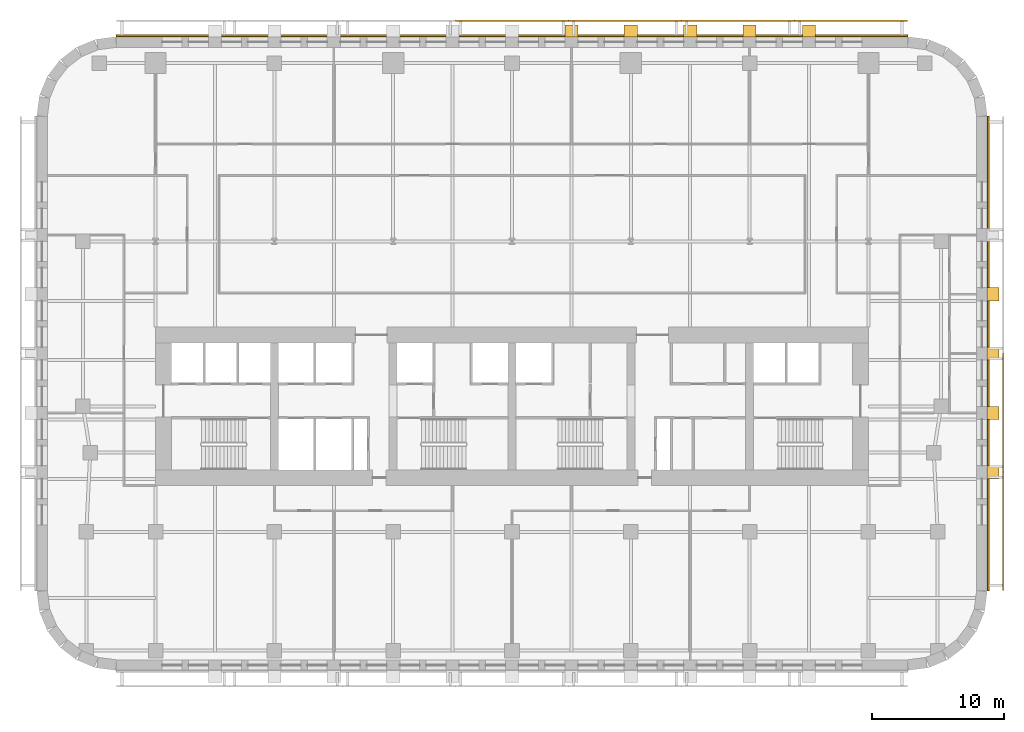
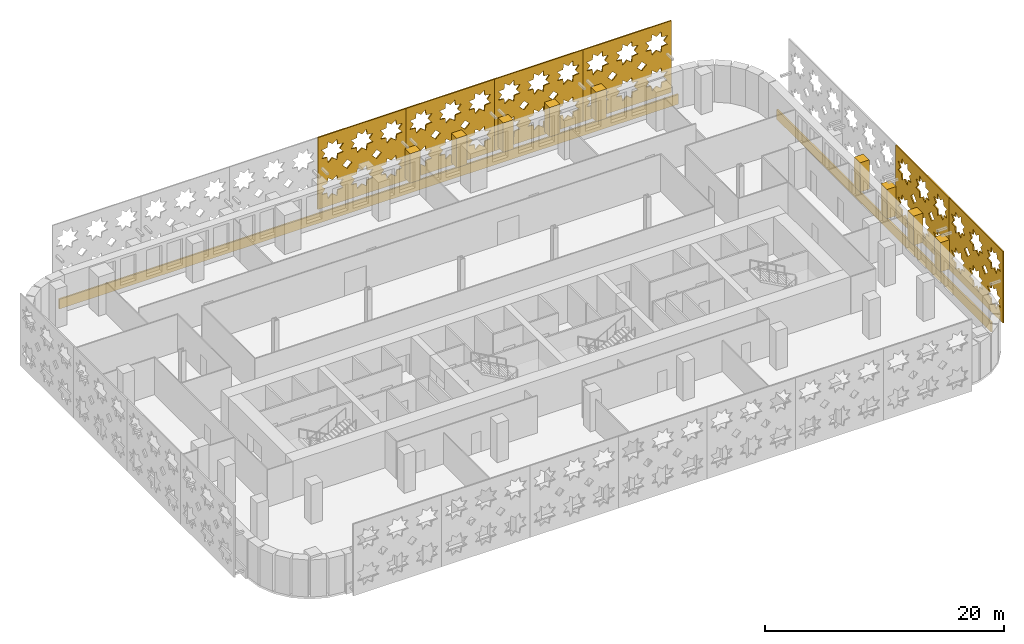
# One storey, part 14 of 15: 17 coverings.
"""IFC4 building model written with IfcOpenShell, lengths in metres."""

from ifc_helpers import new_model, si_unit, direction, frame, origin, place, context, subcontext, project, spatial, polyline, outline, extrude, material, layer, layer_set, type_object, element, save


model = new_model("IFC4")

# Units and contexts
model_context = context("Model", 3, precision=1e-05, world=origin(), true_north=direction((0.0, 1.0)))
body_context = subcontext(model_context, "Body", "Model", "MODEL_VIEW")
ifc_project = project(units=[si_unit("LENGTHUNIT", "METRE"), si_unit("AREAUNIT", "SQUARE_METRE"), si_unit("VOLUMEUNIT", "CUBIC_METRE"), si_unit("PLANEANGLEUNIT", "RADIAN"), si_unit("MASSUNIT", "GRAM", prefix="KILO")], contexts=[model_context])

# Site, building, storey
site_placement = place(None, origin())
site = spatial("IfcSite", under=ifc_project, at=site_placement, CompositionType="ELEMENT")
building_placement = place(site_placement, origin())
building = spatial("IfcBuilding", under=site, at=building_placement, Name="Zellij Exchange Tower", CompositionType="ELEMENT")
storey_placement = place(building_placement, frame((0.0, 0.0, 92.5)))
storey = spatial("IfcBuildingStorey", under=building, at=storey_placement, Name="L19", CompositionType="ELEMENT", Elevation=92.5)

# Coverings
ifc_material_1 = material(Name="Limestone cladding", Category="masonry")
ifc_layer_1 = layer(ifc_material_1, 0.14990234375)
ifc_layer_set_1 = layer_set([ifc_layer_1], Name="Limestone cladding")
covering_type_1 = type_object("IfcCoveringType", Name="ENV-CV1 Stone spandrel band 150", PredefinedType="CLADDING", material=ifc_layer_set_1)
covering_1_placement = place(storey_placement, frame((0.0, 0.0, -0.199951171875)))
element("IfcCovering", 1, at=covering_1_placement, inside=storey, type_object=covering_type_1, Name="Stone spandrel band", PredefinedType="CLADDING", context=body_context, shape_type="SweptSolid", body=[
    extrude(outline(polyline([(36.0, -21.973876953125), (36.0, 13.973876953125), (36.14990234375, 13.983642578125), (36.14990234375, -21.983642578125), (36.0, -21.973876953125)])), origin(), (0.0, 0.0, 1.0), 1.0),
])
covering_2_placement = place(storey_placement, frame((0.0, 0.0, -0.199951171875)))
element("IfcCovering", 2, at=covering_2_placement, inside=storey, type_object=covering_type_1, Name="Stone spandrel band", PredefinedType="CLADDING", context=body_context, shape_type="SweptSolid", body=[
    extrude(outline(polyline([(29.973876953125, 20.0), (-29.973876953125, 20.0), (-29.983642578125, 20.14990234375), (29.983642578125, 20.14990234375), (29.973876953125, 20.0)])), origin(), (0.0, 0.0, 1.0), 1.0),
])
covering_type_2 = type_object("IfcCoveringType", Name="ENV-CV2 Stone pier 1000x900", PredefinedType="CLADDING", material=ifc_material_1)
covering_3_placement = place(storey_placement, frame((0.0, 0.0, 0.800048828125)))
element("IfcCovering", 3, at=covering_3_placement, inside=storey, type_object=covering_type_2, Name="Stone pier", PredefinedType="CLADDING", context=body_context, shape_type="SweptSolid", body=[
    extrude(outline(polyline([(36.0, -13.48681640625), (36.0, -12.48681640625), (36.89990234375, -12.48681640625), (36.89990234375, -13.48681640625), (36.0, -13.48681640625)])), origin(), (0.0, 0.0, 1.0), 3.0),
])
covering_4_placement = place(storey_placement, frame((0.0, 0.0, 0.800048828125)))
element("IfcCovering", 4, at=covering_4_placement, inside=storey, type_object=covering_type_2, Name="Stone pier", PredefinedType="CLADDING", context=body_context, shape_type="SweptSolid", body=[
    extrude(outline(polyline([(36.0, -8.993408203125), (36.0, -7.993408203125), (36.89990234375, -7.993408203125), (36.89990234375, -8.993408203125), (36.0, -8.993408203125)])), origin(), (0.0, 0.0, 1.0), 3.0),
])
covering_5_placement = place(storey_placement, frame((0.0, 0.0, 0.800048828125)))
element("IfcCovering", 5, at=covering_5_placement, inside=storey, type_object=covering_type_2, Name="Stone pier", PredefinedType="CLADDING", context=body_context, shape_type="SweptSolid", body=[
    extrude(outline(polyline([(36.0, -4.5), (36.0, -3.5), (36.89990234375, -3.5), (36.89990234375, -4.5), (36.0, -4.5)])), origin(), (0.0, 0.0, 1.0), 3.0),
])
covering_6_placement = place(storey_placement, frame((0.0, 0.0, 0.800048828125)))
element("IfcCovering", 6, at=covering_6_placement, inside=storey, type_object=covering_type_2, Name="Stone pier", PredefinedType="CLADDING", context=body_context, shape_type="SweptSolid", body=[
    extrude(outline(polyline([(36.0, -0.006591796875), (36.0, 0.993408203125), (36.89990234375, 0.993408203125), (36.89990234375, -0.006591796875), (36.0, -0.006591796875)])), origin(), (0.0, 0.0, 1.0), 3.0),
])
covering_7_placement = place(storey_placement, frame((0.0, 0.0, 0.800048828125)))
element("IfcCovering", 7, at=covering_7_placement, inside=storey, type_object=covering_type_2, Name="Stone pier", PredefinedType="CLADDING", context=body_context, shape_type="SweptSolid", body=[
    extrude(outline(polyline([(23.0, 20.0), (22.0, 20.0), (22.0, 20.89990234375), (23.0, 20.89990234375), (23.0, 20.0)])), origin(), (0.0, 0.0, 1.0), 3.0),
])
covering_8_placement = place(storey_placement, frame((0.0, 0.0, 0.800048828125)))
element("IfcCovering", 8, at=covering_8_placement, inside=storey, type_object=covering_type_2, Name="Stone pier", PredefinedType="CLADDING", context=body_context, shape_type="SweptSolid", body=[
    extrude(outline(polyline([(18.5, 20.0), (17.5, 20.0), (17.5, 20.89990234375), (18.5, 20.89990234375), (18.5, 20.0)])), origin(), (0.0, 0.0, 1.0), 3.0),
])
covering_9_placement = place(storey_placement, frame((0.0, 0.0, 0.800048828125)))
element("IfcCovering", 9, at=covering_9_placement, inside=storey, type_object=covering_type_2, Name="Stone pier", PredefinedType="CLADDING", context=body_context, shape_type="SweptSolid", body=[
    extrude(outline(polyline([(14.0, 20.0), (13.0, 20.0), (13.0, 20.89990234375), (14.0, 20.89990234375), (14.0, 20.0)])), origin(), (0.0, 0.0, 1.0), 3.0),
])
covering_10_placement = place(storey_placement, frame((0.0, 0.0, 0.800048828125)))
element("IfcCovering", 10, at=covering_10_placement, inside=storey, type_object=covering_type_2, Name="Stone pier", PredefinedType="CLADDING", context=body_context, shape_type="SweptSolid", body=[
    extrude(outline(polyline([(9.5, 20.0), (8.5, 20.0), (8.5, 20.89990234375), (9.5, 20.89990234375), (9.5, 20.0)])), origin(), (0.0, 0.0, 1.0), 3.0),
])
covering_11_placement = place(storey_placement, frame((0.0, 0.0, 0.800048828125)))
element("IfcCovering", 11, at=covering_11_placement, inside=storey, type_object=covering_type_2, Name="Stone pier", PredefinedType="CLADDING", context=body_context, shape_type="SweptSolid", body=[
    extrude(outline(polyline([(5.0, 20.0), (4.0, 20.0), (4.0, 20.89990234375), (5.0, 20.89990234375), (5.0, 20.0)])), origin(), (0.0, 0.0, 1.0), 3.0),
])
ifc_material_2 = material(Name="Limestone screen", Category="masonry")
ifc_layer_2 = layer(ifc_material_2, 0.1201171875)
ifc_layer_set_2 = layer_set([ifc_layer_2], Name="Limestone screen")
covering_type_3 = type_object("IfcCoveringType", Name="ENV-SC1 Pierced stone screen 120", PredefinedType="USERDEFINED", material=ifc_layer_set_2)
covering_12_placement = place(storey_placement, frame((29.947509765625, 21.2099609375, 0.300048828125), z_axis=(0.0, 0.0, 1.0), x_axis=(-1.0, 0.0, 0.0)))
element("IfcCovering", 12, at=covering_12_placement, inside=storey, type_object=covering_type_3, Name="Pierced stone screen", ObjectType="SCREEN", PredefinedType="USERDEFINED", context=body_context, shape_type="SweptSolid", body=[
    extrude(outline(polyline([(0.0, 0.0), (8.556396484375, 0.0), (8.556396484375, 7.35009765625), (0.0, 7.35009765625), (0.0, 0.0)]), holes=[polyline([(2.47998046875, 2.274169921875), (1.92626953125, 2.337646484375), (1.86279296875, 2.8916015625), (1.426025390625, 2.544921875), (0.989501953125, 2.8916015625), (0.92578125, 2.337646484375), (0.3720703125, 2.274169921875), (0.71875, 1.83740234375), (0.3720703125, 1.40087890625), (0.92578125, 1.33740234375), (0.989501953125, 0.783447265625), (1.426025390625, 1.130126953125), (1.86279296875, 0.783447265625), (1.92626953125, 1.33740234375), (2.47998046875, 1.40087890625), (2.13330078125, 1.83740234375), (2.47998046875, 2.274169921875)]), polyline([(2.47998046875, 5.94921875), (1.92626953125, 6.0126953125), (1.86279296875, 6.56640625), (1.426025390625, 6.2197265625), (0.989501953125, 6.56640625), (0.92578125, 6.0126953125), (0.3720703125, 5.94921875), (0.71875, 5.512451171875), (0.3720703125, 5.075927734375), (0.92578125, 5.01220703125), (0.989501953125, 4.45849609375), (1.426025390625, 4.80517578125), (1.86279296875, 4.45849609375), (1.92626953125, 5.01220703125), (2.47998046875, 5.075927734375), (2.13330078125, 5.512451171875), (2.47998046875, 5.94921875)]), polyline([(5.332275390625, 2.274169921875), (4.7783203125, 2.337646484375), (4.71484375, 2.8916015625), (4.2783203125, 2.544921875), (3.841552734375, 2.8916015625), (3.778076171875, 2.337646484375), (3.22412109375, 2.274169921875), (3.57080078125, 1.83740234375), (3.22412109375, 1.40087890625), (3.778076171875, 1.33740234375), (3.841552734375, 0.783447265625), (4.2783203125, 1.130126953125), (4.71484375, 0.783447265625), (4.7783203125, 1.33740234375), (5.332275390625, 1.40087890625), (4.985595703125, 1.83740234375), (5.332275390625, 2.274169921875)]), polyline([(5.332275390625, 5.94921875), (4.7783203125, 6.0126953125), (4.71484375, 6.56640625), (4.2783203125, 6.2197265625), (3.841552734375, 6.56640625), (3.778076171875, 6.0126953125), (3.22412109375, 5.94921875), (3.57080078125, 5.512451171875), (3.22412109375, 5.075927734375), (3.778076171875, 5.01220703125), (3.841552734375, 4.45849609375), (4.2783203125, 4.80517578125), (4.71484375, 4.45849609375), (4.7783203125, 5.01220703125), (5.332275390625, 5.075927734375), (4.985595703125, 5.512451171875), (5.332275390625, 5.94921875)]), polyline([(8.184326171875, 2.274169921875), (7.630615234375, 2.337646484375), (7.56689453125, 2.8916015625), (7.13037109375, 2.544921875), (6.69384765625, 2.8916015625), (6.630126953125, 2.337646484375), (6.076416015625, 2.274169921875), (6.423095703125, 1.83740234375), (6.076416015625, 1.40087890625), (6.630126953125, 1.33740234375), (6.69384765625, 0.783447265625), (7.13037109375, 1.130126953125), (7.56689453125, 0.783447265625), (7.630615234375, 1.33740234375), (8.184326171875, 1.40087890625), (7.837646484375, 1.83740234375), (8.184326171875, 2.274169921875)]), polyline([(8.184326171875, 5.94921875), (7.630615234375, 6.0126953125), (7.56689453125, 6.56640625), (7.13037109375, 6.2197265625), (6.69384765625, 6.56640625), (6.630126953125, 6.0126953125), (6.076416015625, 5.94921875), (6.423095703125, 5.512451171875), (6.076416015625, 5.075927734375), (6.630126953125, 5.01220703125), (6.69384765625, 4.45849609375), (7.13037109375, 4.80517578125), (7.56689453125, 4.45849609375), (7.630615234375, 5.01220703125), (8.184326171875, 5.075927734375), (7.837646484375, 5.512451171875), (8.184326171875, 5.94921875)]), polyline([(3.30859375, 3.675048828125), (2.852294921875, 4.13134765625), (2.395751953125, 3.675048828125), (2.852294921875, 3.21875), (3.30859375, 3.675048828125)]), polyline([(6.16064453125, 3.675048828125), (5.704345703125, 4.13134765625), (5.248046875, 3.675048828125), (5.704345703125, 3.21875), (6.16064453125, 3.675048828125)])]), frame((0.0, 0.06005859375, 0.0), z_axis=(0.0, -1.0, 0.0), x_axis=(1.0, 0.0, 0.0)), (0.0, 0.0, 1.0), 0.1201171875),
])
covering_13_placement = place(storey_placement, frame((21.39111328125, 21.2099609375, 0.300048828125), z_axis=(0.0, 0.0, 1.0), x_axis=(-1.0, 0.0, 0.0)))
element("IfcCovering", 13, at=covering_13_placement, inside=storey, type_object=covering_type_3, Name="Pierced stone screen", ObjectType="SCREEN", PredefinedType="USERDEFINED", context=body_context, shape_type="SweptSolid", body=[
    extrude(outline(polyline([(0.0, 0.0), (8.556396484375, 0.0), (8.556396484375, 7.35009765625), (0.0, 7.35009765625), (0.0, 0.0)]), holes=[polyline([(2.47998046875, 2.274169921875), (1.92626953125, 2.337646484375), (1.86279296875, 2.8916015625), (1.426025390625, 2.544921875), (0.989501953125, 2.8916015625), (0.92578125, 2.337646484375), (0.3720703125, 2.274169921875), (0.71875, 1.83740234375), (0.3720703125, 1.40087890625), (0.92578125, 1.33740234375), (0.989501953125, 0.783447265625), (1.426025390625, 1.130126953125), (1.86279296875, 0.783447265625), (1.92626953125, 1.33740234375), (2.47998046875, 1.40087890625), (2.13330078125, 1.83740234375), (2.47998046875, 2.274169921875)]), polyline([(2.47998046875, 5.94921875), (1.92626953125, 6.0126953125), (1.86279296875, 6.56640625), (1.426025390625, 6.2197265625), (0.989501953125, 6.56640625), (0.92578125, 6.0126953125), (0.3720703125, 5.94921875), (0.71875, 5.512451171875), (0.3720703125, 5.075927734375), (0.92578125, 5.01220703125), (0.989501953125, 4.45849609375), (1.426025390625, 4.80517578125), (1.86279296875, 4.45849609375), (1.92626953125, 5.01220703125), (2.47998046875, 5.075927734375), (2.13330078125, 5.512451171875), (2.47998046875, 5.94921875)]), polyline([(5.332275390625, 2.274169921875), (4.7783203125, 2.337646484375), (4.71484375, 2.8916015625), (4.2783203125, 2.544921875), (3.841552734375, 2.8916015625), (3.778076171875, 2.337646484375), (3.22412109375, 2.274169921875), (3.57080078125, 1.83740234375), (3.22412109375, 1.40087890625), (3.778076171875, 1.33740234375), (3.841552734375, 0.783447265625), (4.2783203125, 1.130126953125), (4.71484375, 0.783447265625), (4.7783203125, 1.33740234375), (5.332275390625, 1.40087890625), (4.985595703125, 1.83740234375), (5.332275390625, 2.274169921875)]), polyline([(5.332275390625, 5.94921875), (4.7783203125, 6.0126953125), (4.71484375, 6.56640625), (4.2783203125, 6.2197265625), (3.841552734375, 6.56640625), (3.778076171875, 6.0126953125), (3.22412109375, 5.94921875), (3.57080078125, 5.512451171875), (3.22412109375, 5.075927734375), (3.778076171875, 5.01220703125), (3.841552734375, 4.45849609375), (4.2783203125, 4.80517578125), (4.71484375, 4.45849609375), (4.7783203125, 5.01220703125), (5.332275390625, 5.075927734375), (4.985595703125, 5.512451171875), (5.332275390625, 5.94921875)]), polyline([(8.184326171875, 2.274169921875), (7.630615234375, 2.337646484375), (7.56689453125, 2.8916015625), (7.13037109375, 2.544921875), (6.69384765625, 2.8916015625), (6.630126953125, 2.337646484375), (6.076416015625, 2.274169921875), (6.423095703125, 1.83740234375), (6.076416015625, 1.40087890625), (6.630126953125, 1.33740234375), (6.69384765625, 0.783447265625), (7.13037109375, 1.130126953125), (7.56689453125, 0.783447265625), (7.630615234375, 1.33740234375), (8.184326171875, 1.40087890625), (7.837646484375, 1.83740234375), (8.184326171875, 2.274169921875)]), polyline([(8.184326171875, 5.94921875), (7.630615234375, 6.0126953125), (7.56689453125, 6.56640625), (7.13037109375, 6.2197265625), (6.69384765625, 6.56640625), (6.630126953125, 6.0126953125), (6.076416015625, 5.94921875), (6.423095703125, 5.512451171875), (6.076416015625, 5.075927734375), (6.630126953125, 5.01220703125), (6.69384765625, 4.45849609375), (7.13037109375, 4.80517578125), (7.56689453125, 4.45849609375), (7.630615234375, 5.01220703125), (8.184326171875, 5.075927734375), (7.837646484375, 5.512451171875), (8.184326171875, 5.94921875)]), polyline([(3.30859375, 3.675048828125), (2.852294921875, 4.13134765625), (2.395751953125, 3.675048828125), (2.852294921875, 3.21875), (3.30859375, 3.675048828125)]), polyline([(6.16064453125, 3.675048828125), (5.704345703125, 4.13134765625), (5.248046875, 3.675048828125), (5.704345703125, 3.21875), (6.16064453125, 3.675048828125)])]), frame((0.0, 0.06005859375, 0.0), z_axis=(0.0, -1.0, 0.0), x_axis=(1.0, 0.0, 0.0)), (0.0, 0.0, 1.0), 0.1201171875),
])
covering_14_placement = place(storey_placement, frame((12.834716796875, 21.2099609375, 0.300048828125), z_axis=(0.0, 0.0, 1.0), x_axis=(-1.0, 0.0, 0.0)))
element("IfcCovering", 14, at=covering_14_placement, inside=storey, type_object=covering_type_3, Name="Pierced stone screen", ObjectType="SCREEN", PredefinedType="USERDEFINED", context=body_context, shape_type="SweptSolid", body=[
    extrude(outline(polyline([(0.0, 0.0), (8.556396484375, 0.0), (8.556396484375, 7.35009765625), (0.0, 7.35009765625), (0.0, 0.0)]), holes=[polyline([(2.47998046875, 2.274169921875), (1.92626953125, 2.337646484375), (1.86279296875, 2.8916015625), (1.426025390625, 2.544921875), (0.989501953125, 2.8916015625), (0.92578125, 2.337646484375), (0.3720703125, 2.274169921875), (0.71875, 1.83740234375), (0.3720703125, 1.40087890625), (0.92578125, 1.33740234375), (0.989501953125, 0.783447265625), (1.426025390625, 1.130126953125), (1.86279296875, 0.783447265625), (1.92626953125, 1.33740234375), (2.47998046875, 1.40087890625), (2.13330078125, 1.83740234375), (2.47998046875, 2.274169921875)]), polyline([(2.47998046875, 5.94921875), (1.92626953125, 6.0126953125), (1.86279296875, 6.56640625), (1.426025390625, 6.2197265625), (0.989501953125, 6.56640625), (0.92578125, 6.0126953125), (0.3720703125, 5.94921875), (0.71875, 5.512451171875), (0.3720703125, 5.075927734375), (0.92578125, 5.01220703125), (0.989501953125, 4.45849609375), (1.426025390625, 4.80517578125), (1.86279296875, 4.45849609375), (1.92626953125, 5.01220703125), (2.47998046875, 5.075927734375), (2.13330078125, 5.512451171875), (2.47998046875, 5.94921875)]), polyline([(5.332275390625, 2.274169921875), (4.7783203125, 2.337646484375), (4.71484375, 2.8916015625), (4.2783203125, 2.544921875), (3.841552734375, 2.8916015625), (3.778076171875, 2.337646484375), (3.22412109375, 2.274169921875), (3.57080078125, 1.83740234375), (3.22412109375, 1.40087890625), (3.778076171875, 1.33740234375), (3.841552734375, 0.783447265625), (4.2783203125, 1.130126953125), (4.71484375, 0.783447265625), (4.7783203125, 1.33740234375), (5.332275390625, 1.40087890625), (4.985595703125, 1.83740234375), (5.332275390625, 2.274169921875)]), polyline([(5.332275390625, 5.94921875), (4.7783203125, 6.0126953125), (4.71484375, 6.56640625), (4.2783203125, 6.2197265625), (3.841552734375, 6.56640625), (3.778076171875, 6.0126953125), (3.22412109375, 5.94921875), (3.57080078125, 5.512451171875), (3.22412109375, 5.075927734375), (3.778076171875, 5.01220703125), (3.841552734375, 4.45849609375), (4.2783203125, 4.80517578125), (4.71484375, 4.45849609375), (4.7783203125, 5.01220703125), (5.332275390625, 5.075927734375), (4.985595703125, 5.512451171875), (5.332275390625, 5.94921875)]), polyline([(8.184326171875, 2.274169921875), (7.630615234375, 2.337646484375), (7.56689453125, 2.8916015625), (7.13037109375, 2.544921875), (6.69384765625, 2.8916015625), (6.630126953125, 2.337646484375), (6.076416015625, 2.274169921875), (6.423095703125, 1.83740234375), (6.076416015625, 1.40087890625), (6.630126953125, 1.33740234375), (6.69384765625, 0.783447265625), (7.13037109375, 1.130126953125), (7.56689453125, 0.783447265625), (7.630615234375, 1.33740234375), (8.184326171875, 1.40087890625), (7.837646484375, 1.83740234375), (8.184326171875, 2.274169921875)]), polyline([(8.184326171875, 5.94921875), (7.630615234375, 6.0126953125), (7.56689453125, 6.56640625), (7.13037109375, 6.2197265625), (6.69384765625, 6.56640625), (6.630126953125, 6.0126953125), (6.076416015625, 5.94921875), (6.423095703125, 5.512451171875), (6.076416015625, 5.075927734375), (6.630126953125, 5.01220703125), (6.69384765625, 4.45849609375), (7.13037109375, 4.80517578125), (7.56689453125, 4.45849609375), (7.630615234375, 5.01220703125), (8.184326171875, 5.075927734375), (7.837646484375, 5.512451171875), (8.184326171875, 5.94921875)]), polyline([(3.30859375, 3.675048828125), (2.852294921875, 4.13134765625), (2.395751953125, 3.675048828125), (2.852294921875, 3.21875), (3.30859375, 3.675048828125)]), polyline([(6.16064453125, 3.675048828125), (5.704345703125, 4.13134765625), (5.248046875, 3.675048828125), (5.704345703125, 3.21875), (6.16064453125, 3.675048828125)])]), frame((0.0, 0.06005859375, 0.0), z_axis=(0.0, -1.0, 0.0), x_axis=(1.0, 0.0, 0.0)), (0.0, 0.0, 1.0), 0.1201171875),
])
covering_15_placement = place(storey_placement, frame((4.2783203125, 21.2099609375, 0.300048828125), z_axis=(0.0, 0.0, 1.0), x_axis=(-1.0, 0.0, 0.0)))
element("IfcCovering", 15, at=covering_15_placement, inside=storey, type_object=covering_type_3, Name="Pierced stone screen", ObjectType="SCREEN", PredefinedType="USERDEFINED", context=body_context, shape_type="SweptSolid", body=[
    extrude(outline(polyline([(0.0, 0.0), (8.556396484375, 0.0), (8.556396484375, 7.35009765625), (0.0, 7.35009765625), (0.0, 0.0)]), holes=[polyline([(2.47998046875, 2.274169921875), (1.92626953125, 2.337646484375), (1.86279296875, 2.8916015625), (1.426025390625, 2.544921875), (0.989501953125, 2.8916015625), (0.92578125, 2.337646484375), (0.3720703125, 2.274169921875), (0.71875, 1.83740234375), (0.3720703125, 1.40087890625), (0.92578125, 1.33740234375), (0.989501953125, 0.783447265625), (1.426025390625, 1.130126953125), (1.86279296875, 0.783447265625), (1.92626953125, 1.33740234375), (2.47998046875, 1.40087890625), (2.13330078125, 1.83740234375), (2.47998046875, 2.274169921875)]), polyline([(2.47998046875, 5.94921875), (1.92626953125, 6.0126953125), (1.86279296875, 6.56640625), (1.426025390625, 6.2197265625), (0.989501953125, 6.56640625), (0.92578125, 6.0126953125), (0.3720703125, 5.94921875), (0.71875, 5.512451171875), (0.3720703125, 5.075927734375), (0.92578125, 5.01220703125), (0.989501953125, 4.45849609375), (1.426025390625, 4.80517578125), (1.86279296875, 4.45849609375), (1.92626953125, 5.01220703125), (2.47998046875, 5.075927734375), (2.13330078125, 5.512451171875), (2.47998046875, 5.94921875)]), polyline([(5.332275390625, 2.274169921875), (4.7783203125, 2.337646484375), (4.71484375, 2.8916015625), (4.2783203125, 2.544921875), (3.841552734375, 2.8916015625), (3.778076171875, 2.337646484375), (3.22412109375, 2.274169921875), (3.57080078125, 1.83740234375), (3.22412109375, 1.40087890625), (3.778076171875, 1.33740234375), (3.841552734375, 0.783447265625), (4.2783203125, 1.130126953125), (4.71484375, 0.783447265625), (4.7783203125, 1.33740234375), (5.332275390625, 1.40087890625), (4.985595703125, 1.83740234375), (5.332275390625, 2.274169921875)]), polyline([(5.332275390625, 5.94921875), (4.7783203125, 6.0126953125), (4.71484375, 6.56640625), (4.2783203125, 6.2197265625), (3.841552734375, 6.56640625), (3.778076171875, 6.0126953125), (3.22412109375, 5.94921875), (3.57080078125, 5.512451171875), (3.22412109375, 5.075927734375), (3.778076171875, 5.01220703125), (3.841552734375, 4.45849609375), (4.2783203125, 4.80517578125), (4.71484375, 4.45849609375), (4.7783203125, 5.01220703125), (5.332275390625, 5.075927734375), (4.985595703125, 5.512451171875), (5.332275390625, 5.94921875)]), polyline([(8.184326171875, 2.274169921875), (7.630615234375, 2.337646484375), (7.56689453125, 2.8916015625), (7.13037109375, 2.544921875), (6.69384765625, 2.8916015625), (6.630126953125, 2.337646484375), (6.076416015625, 2.274169921875), (6.423095703125, 1.83740234375), (6.076416015625, 1.40087890625), (6.630126953125, 1.33740234375), (6.69384765625, 0.783447265625), (7.13037109375, 1.130126953125), (7.56689453125, 0.783447265625), (7.630615234375, 1.33740234375), (8.184326171875, 1.40087890625), (7.837646484375, 1.83740234375), (8.184326171875, 2.274169921875)]), polyline([(8.184326171875, 5.94921875), (7.630615234375, 6.0126953125), (7.56689453125, 6.56640625), (7.13037109375, 6.2197265625), (6.69384765625, 6.56640625), (6.630126953125, 6.0126953125), (6.076416015625, 5.94921875), (6.423095703125, 5.512451171875), (6.076416015625, 5.075927734375), (6.630126953125, 5.01220703125), (6.69384765625, 4.45849609375), (7.13037109375, 4.80517578125), (7.56689453125, 4.45849609375), (7.630615234375, 5.01220703125), (8.184326171875, 5.075927734375), (7.837646484375, 5.512451171875), (8.184326171875, 5.94921875)]), polyline([(3.30859375, 3.675048828125), (2.852294921875, 4.13134765625), (2.395751953125, 3.675048828125), (2.852294921875, 3.21875), (3.30859375, 3.675048828125)]), polyline([(6.16064453125, 3.675048828125), (5.704345703125, 4.13134765625), (5.248046875, 3.675048828125), (5.704345703125, 3.21875), (6.16064453125, 3.675048828125)])]), frame((0.0, 0.06005859375, 0.0), z_axis=(0.0, -1.0, 0.0), x_axis=(1.0, 0.0, 0.0)), (0.0, 0.0, 1.0), 0.1201171875),
])
covering_16_placement = place(storey_placement, frame((37.2099609375, -21.947509765625, 0.300048828125), z_axis=(0.0, 0.0, 1.0), x_axis=(0.0, 1.0, 0.0)))
element("IfcCovering", 16, at=covering_16_placement, inside=storey, type_object=covering_type_3, Name="Pierced stone screen", ObjectType="SCREEN", PredefinedType="USERDEFINED", context=body_context, shape_type="SweptSolid", body=[
    extrude(outline(polyline([(0.0, 0.0), (8.973876953125, 0.0), (8.973876953125, 7.35009765625), (0.0, 7.35009765625), (0.0, 0.0)]), holes=[polyline([(2.60107421875, 2.29541015625), (2.020263671875, 2.362060546875), (1.95361328125, 2.94287109375), (1.49560546875, 2.579345703125), (1.03759765625, 2.94287109375), (0.97119140625, 2.362060546875), (0.39013671875, 2.29541015625), (0.75390625, 1.83740234375), (0.39013671875, 1.379638671875), (0.97119140625, 1.31298828125), (1.03759765625, 0.732177734375), (1.49560546875, 1.095703125), (1.95361328125, 0.732177734375), (2.020263671875, 1.31298828125), (2.60107421875, 1.379638671875), (2.237548828125, 1.83740234375), (2.60107421875, 2.29541015625)]), polyline([(2.60107421875, 5.970458984375), (2.020263671875, 6.037109375), (1.95361328125, 6.617919921875), (1.49560546875, 6.25439453125), (1.03759765625, 6.617919921875), (0.97119140625, 6.037109375), (0.39013671875, 5.970458984375), (0.75390625, 5.512451171875), (0.39013671875, 5.0546875), (0.97119140625, 4.98779296875), (1.03759765625, 4.406982421875), (1.49560546875, 4.770751953125), (1.95361328125, 4.406982421875), (2.020263671875, 4.98779296875), (2.60107421875, 5.0546875), (2.237548828125, 5.512451171875), (2.60107421875, 5.970458984375)]), polyline([(5.59228515625, 2.29541015625), (5.011474609375, 2.362060546875), (4.94482421875, 2.94287109375), (4.48681640625, 2.579345703125), (4.029052734375, 2.94287109375), (3.96240234375, 2.362060546875), (3.381591796875, 2.29541015625), (3.7451171875, 1.83740234375), (3.381591796875, 1.379638671875), (3.96240234375, 1.31298828125), (4.029052734375, 0.732177734375), (4.48681640625, 1.095703125), (4.94482421875, 0.732177734375), (5.011474609375, 1.31298828125), (5.59228515625, 1.379638671875), (5.228759765625, 1.83740234375), (5.59228515625, 2.29541015625)]), polyline([(5.59228515625, 5.970458984375), (5.011474609375, 6.037109375), (4.94482421875, 6.617919921875), (4.48681640625, 6.25439453125), (4.029052734375, 6.617919921875), (3.96240234375, 6.037109375), (3.381591796875, 5.970458984375), (3.7451171875, 5.512451171875), (3.381591796875, 5.0546875), (3.96240234375, 4.98779296875), (4.029052734375, 4.406982421875), (4.48681640625, 4.770751953125), (4.94482421875, 4.406982421875), (5.011474609375, 4.98779296875), (5.59228515625, 5.0546875), (5.228759765625, 5.512451171875), (5.59228515625, 5.970458984375)]), polyline([(8.58349609375, 2.29541015625), (8.002685546875, 2.362060546875), (7.93603515625, 2.94287109375), (7.478271484375, 2.579345703125), (7.020263671875, 2.94287109375), (6.95361328125, 2.362060546875), (6.372802734375, 2.29541015625), (6.736328125, 1.83740234375), (6.372802734375, 1.379638671875), (6.95361328125, 1.31298828125), (7.020263671875, 0.732177734375), (7.478271484375, 1.095703125), (7.93603515625, 0.732177734375), (8.002685546875, 1.31298828125), (8.58349609375, 1.379638671875), (8.219970703125, 1.83740234375), (8.58349609375, 2.29541015625)]), polyline([(8.58349609375, 5.970458984375), (8.002685546875, 6.037109375), (7.93603515625, 6.617919921875), (7.478271484375, 6.25439453125), (7.020263671875, 6.617919921875), (6.95361328125, 6.037109375), (6.372802734375, 5.970458984375), (6.736328125, 5.512451171875), (6.372802734375, 5.0546875), (6.95361328125, 4.98779296875), (7.020263671875, 4.406982421875), (7.478271484375, 4.770751953125), (7.93603515625, 4.406982421875), (8.002685546875, 4.98779296875), (8.58349609375, 5.0546875), (8.219970703125, 5.512451171875), (8.58349609375, 5.970458984375)]), polyline([(3.469970703125, 3.675048828125), (2.9912109375, 4.153564453125), (2.5126953125, 3.675048828125), (2.9912109375, 3.1962890625), (3.469970703125, 3.675048828125)]), polyline([(6.461181640625, 3.675048828125), (5.982421875, 4.153564453125), (5.50390625, 3.675048828125), (5.982421875, 3.1962890625), (6.461181640625, 3.675048828125)])]), frame((0.0, 0.06005859375, 0.0), z_axis=(0.0, -1.0, 0.0), x_axis=(1.0, 0.0, 0.0)), (0.0, 0.0, 1.0), 0.1201171875),
])
covering_17_placement = place(storey_placement, frame((37.2099609375, -12.973876953125, 0.300048828125), z_axis=(0.0, 0.0, 1.0), x_axis=(0.0, 1.0, 0.0)))
element("IfcCovering", 17, at=covering_17_placement, inside=storey, type_object=covering_type_3, Name="Pierced stone screen", ObjectType="SCREEN", PredefinedType="USERDEFINED", context=body_context, shape_type="SweptSolid", body=[
    extrude(outline(polyline([(0.0, 0.0), (8.973876953125, 0.0), (8.973876953125, 7.35009765625), (0.0, 7.35009765625), (0.0, 0.0)]), holes=[polyline([(2.60107421875, 2.29541015625), (2.020263671875, 2.362060546875), (1.95361328125, 2.94287109375), (1.49560546875, 2.579345703125), (1.03759765625, 2.94287109375), (0.97119140625, 2.362060546875), (0.39013671875, 2.29541015625), (0.75390625, 1.83740234375), (0.39013671875, 1.379638671875), (0.97119140625, 1.31298828125), (1.03759765625, 0.732177734375), (1.49560546875, 1.095703125), (1.95361328125, 0.732177734375), (2.020263671875, 1.31298828125), (2.60107421875, 1.379638671875), (2.237548828125, 1.83740234375), (2.60107421875, 2.29541015625)]), polyline([(2.60107421875, 5.970458984375), (2.020263671875, 6.037109375), (1.95361328125, 6.617919921875), (1.49560546875, 6.25439453125), (1.03759765625, 6.617919921875), (0.97119140625, 6.037109375), (0.39013671875, 5.970458984375), (0.75390625, 5.512451171875), (0.39013671875, 5.0546875), (0.97119140625, 4.98779296875), (1.03759765625, 4.406982421875), (1.49560546875, 4.770751953125), (1.95361328125, 4.406982421875), (2.020263671875, 4.98779296875), (2.60107421875, 5.0546875), (2.237548828125, 5.512451171875), (2.60107421875, 5.970458984375)]), polyline([(5.59228515625, 2.29541015625), (5.011474609375, 2.362060546875), (4.94482421875, 2.94287109375), (4.48681640625, 2.579345703125), (4.029052734375, 2.94287109375), (3.96240234375, 2.362060546875), (3.381591796875, 2.29541015625), (3.7451171875, 1.83740234375), (3.381591796875, 1.379638671875), (3.96240234375, 1.31298828125), (4.029052734375, 0.732177734375), (4.48681640625, 1.095703125), (4.94482421875, 0.732177734375), (5.011474609375, 1.31298828125), (5.59228515625, 1.379638671875), (5.228759765625, 1.83740234375), (5.59228515625, 2.29541015625)]), polyline([(5.59228515625, 5.970458984375), (5.011474609375, 6.037109375), (4.94482421875, 6.617919921875), (4.48681640625, 6.25439453125), (4.029052734375, 6.617919921875), (3.96240234375, 6.037109375), (3.381591796875, 5.970458984375), (3.7451171875, 5.512451171875), (3.381591796875, 5.0546875), (3.96240234375, 4.98779296875), (4.029052734375, 4.406982421875), (4.48681640625, 4.770751953125), (4.94482421875, 4.406982421875), (5.011474609375, 4.98779296875), (5.59228515625, 5.0546875), (5.228759765625, 5.512451171875), (5.59228515625, 5.970458984375)]), polyline([(8.58349609375, 2.29541015625), (8.002685546875, 2.362060546875), (7.93603515625, 2.94287109375), (7.478271484375, 2.579345703125), (7.020263671875, 2.94287109375), (6.95361328125, 2.362060546875), (6.372802734375, 2.29541015625), (6.736328125, 1.83740234375), (6.372802734375, 1.379638671875), (6.95361328125, 1.31298828125), (7.020263671875, 0.732177734375), (7.478271484375, 1.095703125), (7.93603515625, 0.732177734375), (8.002685546875, 1.31298828125), (8.58349609375, 1.379638671875), (8.219970703125, 1.83740234375), (8.58349609375, 2.29541015625)]), polyline([(8.58349609375, 5.970458984375), (8.002685546875, 6.037109375), (7.93603515625, 6.617919921875), (7.478271484375, 6.25439453125), (7.020263671875, 6.617919921875), (6.95361328125, 6.037109375), (6.372802734375, 5.970458984375), (6.736328125, 5.512451171875), (6.372802734375, 5.0546875), (6.95361328125, 4.98779296875), (7.020263671875, 4.406982421875), (7.478271484375, 4.770751953125), (7.93603515625, 4.406982421875), (8.002685546875, 4.98779296875), (8.58349609375, 5.0546875), (8.219970703125, 5.512451171875), (8.58349609375, 5.970458984375)]), polyline([(3.469970703125, 3.675048828125), (2.9912109375, 4.153564453125), (2.5126953125, 3.675048828125), (2.9912109375, 3.1962890625), (3.469970703125, 3.675048828125)]), polyline([(6.461181640625, 3.675048828125), (5.982421875, 4.153564453125), (5.50390625, 3.675048828125), (5.982421875, 3.1962890625), (6.461181640625, 3.675048828125)])]), frame((0.0, 0.06005859375, 0.0), z_axis=(0.0, -1.0, 0.0), x_axis=(1.0, 0.0, 0.0)), (0.0, 0.0, 1.0), 0.1201171875),
])

save(model, "model.ifc")
